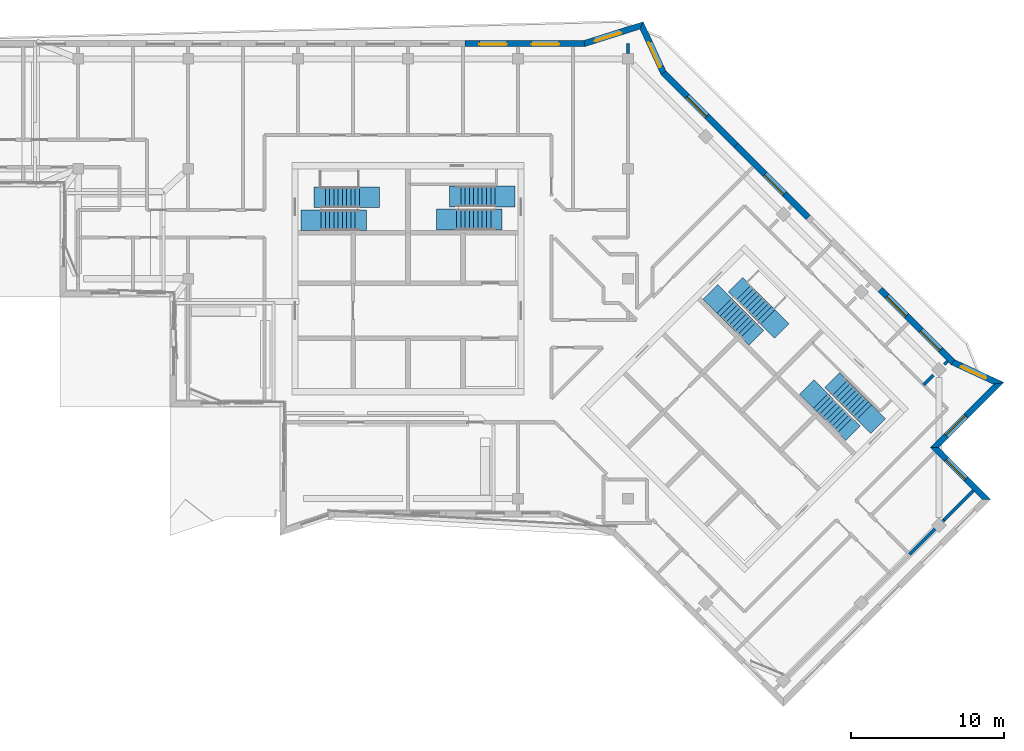
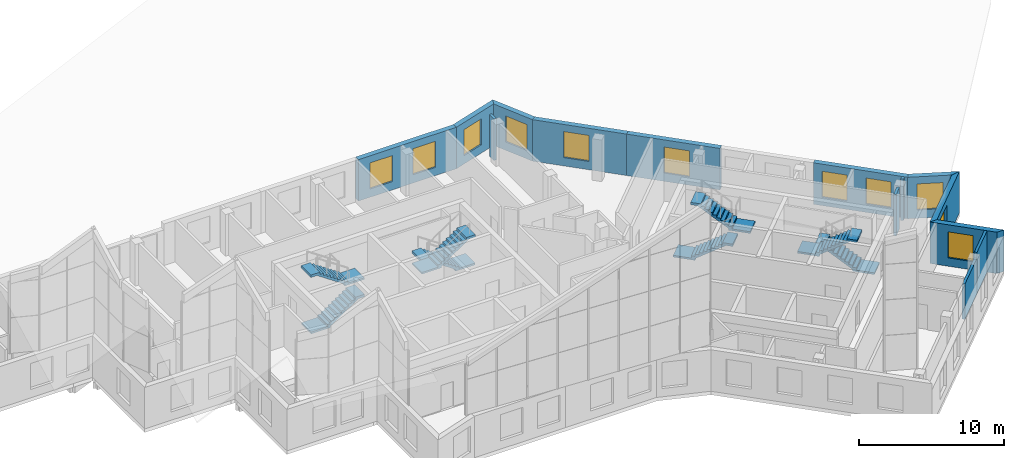
# One storey, part 16 of 20: 14 walls, 11 windows, 8 stair flights, 11 openings, 4 elements without a shape of their own.
"""IFC4 building model written with IfcOpenShell, lengths in metres."""

import ifcopenshell
import ifcopenshell.guid

model = None  # the IFC model being written
_history = None  # IfcOwnerHistory: only IFC2X3 demands one
_inside = {}  # id of a spatial element -> (the spatial element, [elements in it])
_under = {}  # id of a project, library or spatial element -> (it, [spatial elements below it])
_declared = {}  # id of a project -> (the project, [libraries it declares])
_typed = {}  # id of a type object -> (the type object, [elements of that type])
_made_of = {}  # id of a material, layer set ... -> (it, [elements and type objects made of it])


def new_model(schema):
    """Start an empty IFC model of exactly this schema.

    Asked for "IFC4X3", IfcOpenShell would pick the latest addendum, in which some entities
    have other attributes; the version numbers below select the first issue.
    IFC2X3 requires an IfcOwnerHistory on every rooted entity: one is made here for all.
    """
    global model, _history
    if schema == "IFC4X3":
        model = ifcopenshell.file(schema_version=(4, 3, 0, 0))
    else:
        model = ifcopenshell.file(schema=schema)
    _inside.clear()
    _under.clear()
    _declared.clear()
    _typed.clear()
    _made_of.clear()
    _history = None
    if model.schema == "IFC2X3":
        org = make("IfcOrganization", Name="unknown")
        user = make(
            "IfcPersonAndOrganization",
            ThePerson=make("IfcPerson", FamilyName="unknown"),
            TheOrganization=org,
        )
        app = make(
            "IfcApplication",
            ApplicationDeveloper=org,
            Version="unknown",
            ApplicationFullName="unknown",
            ApplicationIdentifier="unknown",
        )
        _history = make(
            "IfcOwnerHistory",
            OwningUser=user,
            OwningApplication=app,
            ChangeAction="ADDED",
            CreationDate=0,
        )
    return model


def make(cls, **values):
    """One entity of the class cls with the attributes given. An attribute that is None is left unset."""
    return model.create_entity(
        cls, **{name: value for name, value in values.items() if value is not None}
    )


def rooted(cls, **values):
    """An entity with a GlobalId (a new one), such as an element, a storey or a relation."""
    return make(cls, GlobalId=ifcopenshell.guid.new(), OwnerHistory=_history, **values)


def si_unit(unit_type, name, prefix=None):
    """IfcSIUnit, for example si_unit("LENGTHUNIT", "METRE", prefix="MILLI")."""
    return make("IfcSIUnit", UnitType=unit_type, Prefix=prefix, Name=name)


def assignment(units):
    """IfcUnitAssignment: the units of a project."""
    return None if units is None else make("IfcUnitAssignment", Units=units)


def point(xyz):
    """IfcCartesianPoint."""
    return None if xyz is None else make("IfcCartesianPoint", Coordinates=xyz)


def direction(xyz):
    """IfcDirection."""
    return None if xyz is None else make("IfcDirection", DirectionRatios=xyz)


def frame(location, z_axis=None, x_axis=None):
    """IfcAxis2Placement3D, a coordinate frame: its origin and axes. An axis left out is left unset."""
    return make(
        "IfcAxis2Placement3D",
        Location=point(location),
        Axis=direction(z_axis),
        RefDirection=direction(x_axis),
    )


def frame_2d(location, x_axis=None):
    """IfcAxis2Placement2D, a coordinate frame in the plane: its origin and x axis."""
    return make(
        "IfcAxis2Placement2D", Location=point(location), RefDirection=direction(x_axis)
    )


def origin():
    """The frame at (0, 0, 0) with its axes left unset."""
    return frame((0.0, 0.0, 0.0))


def place(relative_to, where):
    """IfcLocalPlacement: puts the frame where relative to a parent placement (None: the world)."""
    return make(
        "IfcLocalPlacement", PlacementRelTo=relative_to, RelativePlacement=where
    )


def context(
    kind, dimensions, precision=None, world=None, true_north=None, identifier=None
):
    """IfcGeometricRepresentationContext, for example the 3D "Model" context."""
    return make(
        "IfcGeometricRepresentationContext",
        ContextIdentifier=identifier,
        ContextType=kind,
        CoordinateSpaceDimension=dimensions,
        Precision=precision,
        WorldCoordinateSystem=world,
        TrueNorth=true_north,
    )


def subcontext(parent, identifier, kind, view, scale=None):
    """IfcGeometricRepresentationSubContext, for example "Body" below "Model"."""
    return make(
        "IfcGeometricRepresentationSubContext",
        ContextIdentifier=identifier,
        ContextType=kind,
        ParentContext=parent,
        TargetScale=scale,
        TargetView=view,
    )


def project(units=None, contexts=None):
    """IfcProject with its units and contexts."""
    return rooted(
        "IfcProject",
        Name="project",
        RepresentationContexts=contexts,
        UnitsInContext=assignment(units),
    )


def spatial(cls, under=None, at=None, **own):
    """A site, building, storey or space (cls), placed at a placement, below another one or the project."""
    s = rooted(cls, ObjectPlacement=at, **own)
    if under is not None:
        _under.setdefault(under.id(), (under, []))[1].append(s)
    return s


def polyline(points):
    """IfcPolyline through the points."""
    return make("IfcPolyline", Points=[point(p) for p in points])


def profile(cls, at=None, kind="AREA", **sizes):
    """A parametric profile (cls). Its sizes go by their IFC names, for example OverallWidth=200.0."""
    return make(cls, ProfileType=kind, Position=at, **sizes)


def rectangle(**sizes):
    """IfcRectangleProfileDef."""
    return profile("IfcRectangleProfileDef", **sizes)


def outline(outer, holes=None, kind="AREA"):
    """IfcArbitraryClosedProfileDef: a profile drawn as a closed curve; with holes, ...WithVoids."""
    if holes is None:
        return make("IfcArbitraryClosedProfileDef", ProfileType=kind, OuterCurve=outer)
    return make(
        "IfcArbitraryProfileDefWithVoids",
        ProfileType=kind,
        OuterCurve=outer,
        InnerCurves=holes,
    )


def extrude(swept, where, along, depth):
    """IfcExtrudedAreaSolid: the profile swept, set in the frame where, extruded along a direction by depth."""
    return make(
        "IfcExtrudedAreaSolid",
        SweptArea=swept,
        Position=where,
        ExtrudedDirection=direction(along),
        Depth=depth,
    )


def shape(context_of_items, identifier, shape_type, items):
    """IfcShapeRepresentation: the items that make up one representation, for example the "Body"."""
    return make(
        "IfcShapeRepresentation",
        ContextOfItems=context_of_items,
        RepresentationIdentifier=identifier,
        RepresentationType=shape_type,
        Items=items,
    )


def material(Name=None, Category=None):
    """IfcMaterial."""
    return make("IfcMaterial", Name=Name, Category=Category)


def layer(
    of_material, thickness, ventilated=None, Name=None, Category=None, Priority=None
):
    """IfcMaterialLayer: one layer of a wall or slab, of a material (None: an air gap)."""
    return make(
        "IfcMaterialLayer",
        Material=of_material,
        LayerThickness=thickness,
        IsVentilated=ventilated,
        Name=Name,
        Category=Category,
        Priority=Priority,
    )


def layer_set(layers, Name=None):
    """IfcMaterialLayerSet."""
    return make("IfcMaterialLayerSet", MaterialLayers=layers, LayerSetName=Name)


def made_of(thing, what):
    """Note that an element or type object is made of a material, layer set ...; save() writes the relation."""
    if what is not None:
        _made_of.setdefault(what.id(), (what, []))[1].append(thing)
    return thing


def type_object(cls, material=None, **own):
    """A type object (cls), such as IfcWallType, which elements share."""
    return made_of(rooted(cls, **own), material)


def element(
    cls,
    number,
    at=None,
    inside=None,
    cuts=None,
    type_object=None,
    material=None,
    context=None,
    identifier="Body",
    shape_type=None,
    held_by="IfcProductDefinitionShape",
    body=None,
    shapes=None,
    **own,
):
    """One element of the class cls, such as IfcWall. Its Tag is "e" and its number.

    at: its placement. inside: the storey or other place that contains it. cuts: it is an
    opening in that element (IfcRelVoidsElement). A single representation is given by context,
    identifier, shape_type and body (its items); several are given by shapes. held_by: the class
    of the entity that holds the representations. save() writes the other relations.
    """
    e = rooted(cls, Tag="e%d" % number, ObjectPlacement=at, **own)
    if body is not None:
        shapes = [shape(context, identifier, shape_type, body)]
    if shapes is not None:
        e.Representation = make(held_by, Representations=shapes)
    if inside is not None:
        _inside.setdefault(inside.id(), (inside, []))[1].append(e)
    if cuts is not None:
        rooted(
            "IfcRelVoidsElement", RelatingBuildingElement=cuts, RelatedOpeningElement=e
        )
    if type_object is not None:
        _typed.setdefault(type_object.id(), (type_object, []))[1].append(e)
    return made_of(e, material)


def fill(opening, filler):
    """IfcRelFillsElement: the door or window that sits in an opening."""
    return rooted(
        "IfcRelFillsElement",
        RelatingOpeningElement=opening,
        RelatedBuildingElement=filler,
    )


def aggregate(whole, parts):
    """IfcRelAggregates: a whole, such as a stair, and the parts it consists of."""
    return rooted("IfcRelAggregates", RelatingObject=whole, RelatedObjects=parts)


def save(model, path):
    """Write the relations noted so far, then the file.

    IfcRelAggregates (storeys below a building ...), IfcRelContainedInSpatialStructure (elements
    in a storey), IfcRelDefinesByType, IfcRelAssociatesMaterial and IfcRelDeclares: one each for
    every whole, place, type object, material and project.
    """
    for whole, parts in _under.values():
        aggregate(whole, parts)
    for where, things in _inside.values():
        rooted(
            "IfcRelContainedInSpatialStructure",
            RelatedElements=things,
            RelatingStructure=where,
        )
    for kind, things in _typed.values():
        rooted("IfcRelDefinesByType", RelatedObjects=things, RelatingType=kind)
    for what, things in _made_of.values():
        rooted("IfcRelAssociatesMaterial", RelatedObjects=things, RelatingMaterial=what)
    for by, libraries in _declared.values():
        rooted("IfcRelDeclares", RelatingContext=by, RelatedDefinitions=libraries)
    model.write(path)


model = new_model("IFC4")

# Units and contexts
model_context = context("Model", 3, precision=1e-05, world=origin(), true_north=direction((0.0, 1.0)))
body_context = subcontext(model_context, "Body", "Model", "MODEL_VIEW")
ifc_project = project(units=[si_unit("LENGTHUNIT", "METRE"), si_unit("AREAUNIT", "SQUARE_METRE"), si_unit("VOLUMEUNIT", "CUBIC_METRE"), si_unit("PLANEANGLEUNIT", "RADIAN"), si_unit("MASSUNIT", "GRAM", prefix="KILO")], contexts=[model_context])

# Site, building, storey
site_placement = place(None, origin())
site = spatial("IfcSite", under=ifc_project, at=site_placement, CompositionType="ELEMENT")
building_placement = place(site_placement, origin())
building = spatial("IfcBuilding", under=site, at=building_placement, Name="Windrow Commons", CompositionType="ELEMENT")
storey_placement = place(building_placement, frame((0.0, 0.0, 290.6)))
storey = spatial("IfcBuildingStorey", under=building, at=storey_placement, Name="L79", CompositionType="ELEMENT", Elevation=290.6)

# Walls
ifc_material_1 = material(Name="Blockwork partition", Category="masonry")
ifc_layer_1 = layer(ifc_material_1, 0.2)
ifc_layer_set_1 = layer_set([ifc_layer_1], Name="IW-PARTY-200")
wall_type_1 = type_object("IfcWallType", Name="IW-PARTY-200", PredefinedType="PARTITIONING", material=ifc_layer_set_1)
wall_1_placement = place(storey_placement, frame((97.6534, 39.5466, 0.0), z_axis=(0.0, 0.0, 1.0), x_axis=(0.7066684208, 0.70754487, 0.0)))
element("IfcWall", 1, at=wall_1_placement, inside=storey, type_object=wall_type_1, Name="W-L79-W064", PredefinedType="PARTITIONING", context=body_context, shape_type="SweptSolid", body=[
    extrude(rectangle(XDim=3.1947, YDim=0.2, at=frame_2d((1.5974, 0.0))), origin(), (0.0, 0.0, 1.0), 3.0),
])
wall_2_placement = place(storey_placement, frame((98.5738, 50.6462, 0.0), z_axis=(0.0, 0.0, 1.0), x_axis=(0.7071067812, 0.7071067812, 0.0)))
element("IfcWall", 2, at=wall_2_placement, inside=storey, type_object=wall_type_1, Name="W-L79-W081", PredefinedType="PARTITIONING", context=body_context, shape_type="SweptSolid", body=[
    extrude(rectangle(XDim=0.9051, YDim=0.2, at=frame_2d((0.4526, 0.0))), origin(), (0.0, 0.0, 1.0), 3.5),
])
wall_3_placement = place(storey_placement, frame((79.2, 72.35, 0.0), z_axis=(0.0, 0.0, 1.0), x_axis=(0.0, 1.0, 0.0)))
element("IfcWall", 3, at=wall_3_placement, inside=storey, type_object=wall_type_1, Name="W-L79-W096", PredefinedType="PARTITIONING", context=body_context, shape_type="SweptSolid", body=[
    extrude(rectangle(XDim=0.65, YDim=0.2, at=frame_2d((0.325, 0.0))), origin(), (0.0, 0.0, 1.0), 3.5),
])
wall_4_placement = place(storey_placement, frame((99.914, 41.804, 0.0), z_axis=(0.0, 0.0, 1.0), x_axis=(0.7071067812, 0.7071067812, 0.0)))
element("IfcWall", 4, at=wall_4_placement, inside=storey, type_object=wall_type_1, Name="W-L79-W050", PredefinedType="PARTITIONING", context=body_context, shape_type="SweptSolid", body=[
    extrude(outline(polyline([(0.0, -0.1), (2.7048, -0.1), (2.7048, 0.1), (0.0, 0.1), (0.0, -0.1)])), origin(), (0.0, 0.0, 1.0), 3.5),
])
wall_5_placement = place(storey_placement, frame((99.9167, 51.9833, 0.0), z_axis=(0.0, 0.0, 1.0), x_axis=(0.7087439748, 0.7054657881, 0.0)))
element("IfcWall", 5, at=wall_5_placement, inside=storey, type_object=wall_type_1, Name="W-L79-W098", PredefinedType="PARTITIONING", context=body_context, shape_type="SweptSolid", body=[
    extrude(outline(polyline([(0.0, -0.1), (0.3051, -0.1), (0.3051, 0.1), (0.0, 0.1), (0.0, -0.1)])), origin(), (0.0, 0.0, 1.0), 3.5),
])

# Wall, opening, window
ifc_material_2 = material(Name="Standing seam zinc cladding on insulated masonry backing", Category="masonry")
ifc_layer_2 = layer(ifc_material_2, 0.4)
ifc_layer_set_2 = layer_set([ifc_layer_2], Name="Zinc clad crown wall 400")
wall_type_2 = type_object("IfcWallType", Name="Zinc clad crown wall 400", PredefinedType="SOLIDWALL", material=ifc_layer_set_2)
wall_6_placement = place(storey_placement, frame((102.676, 43.15, 0.0), z_axis=(0.0, 0.0, 1.0), x_axis=(-0.7070963646, 0.7071171977, 0.0)))
wall_6 = element("IfcWall", 6, at=wall_6_placement, inside=storey, type_object=wall_type_2, Name="Brick facade wall L79 2", PredefinedType="SOLIDWALL", context=body_context, shape_type="SweptSolid", body=[
    extrude(outline(polyline([(-0.2, -0.2), (4.6001, -0.2), (5.0, 0.2), (0.2, 0.2), (-0.2, -0.2)])), origin(), (0.0, 0.0, 1.0), 3.5),
])
opening_1_placement = place(wall_6_placement, frame((1.9, 0.0, 0.7)))
opening_1 = element("IfcOpeningElement", 7, at=opening_1_placement, cuts=wall_6, Name="Opening W6", PredefinedType="OPENING", context=body_context, shape_type="SweptSolid", body=[
    extrude(rectangle(XDim=1.8, YDim=2.2, at=frame_2d((0.9, 1.1))), frame((0.0, 0.21, 0.0), z_axis=(0.0, -1.0, 0.0), x_axis=(1.0, 0.0, 0.0)), (0.0, 0.0, 1.0), 0.42),
])
ifc_material_3 = material(Name="Clear float glass in anodised aluminium frame", Category="aluminium")
window_type = type_object("IfcWindowType", Name="Window W6 crown 1800x2200", PartitioningType="SINGLE_PANEL", PredefinedType="WINDOW", material=ifc_material_3)
window_1_placement = place(opening_1_placement, origin())
window_1 = element("IfcWindow", 8, at=window_1_placement, inside=storey, type_object=window_type, Name="Window L79 2.1", OverallHeight=2.2, OverallWidth=1.8, PartitioningType="SINGLE_PANEL", PredefinedType="WINDOW", context=body_context, shape_type="SweptSolid", body=[
    extrude(rectangle(XDim=1.8, YDim=2.2, at=frame_2d((0.9, 1.1))), frame((0.0, 0.08, 0.0), z_axis=(0.0, -1.0, 0.0), x_axis=(1.0, 0.0, 0.0)), (0.0, 0.0, 1.0), 0.06),
])
fill(opening_1, window_1)

wall_7_placement = place(storey_placement, frame((99.2819, 46.5442, 0.0), z_axis=(0.0, 0.0, 1.0), x_axis=(0.7071067812, 0.7071067812, 0.0)))
wall_7 = element("IfcWall", 9, at=wall_7_placement, inside=storey, type_object=wall_type_2, Name="Brick facade wall L79 3", PredefinedType="SOLIDWALL", context=body_context, shape_type="SweptSolid", body=[
    extrude(outline(polyline([(0.2, -0.2), (6.23, -0.2), (5.6565, 0.2), (-0.2, 0.2), (0.2, -0.2)])), origin(), (0.0, 0.0, 1.0), 3.5),
])
opening_2_placement = place(wall_7_placement, frame((1.1, 0.0, 0.7)))
opening_2 = element("IfcOpeningElement", 10, at=opening_2_placement, cuts=wall_7, Name="Opening W6", PredefinedType="OPENING", context=body_context, shape_type="SweptSolid", body=[
    extrude(rectangle(XDim=1.8, YDim=2.2, at=frame_2d((0.9, 1.1))), frame((0.0, 0.21, 0.0), z_axis=(0.0, -1.0, 0.0), x_axis=(1.0, 0.0, 0.0)), (0.0, 0.0, 1.0), 0.42),
])
window_2_placement = place(opening_2_placement, origin())
window_2 = element("IfcWindow", 11, at=window_2_placement, inside=storey, type_object=window_type, Name="Window L79 3.1", OverallHeight=2.2, OverallWidth=1.8, PartitioningType="SINGLE_PANEL", PredefinedType="WINDOW", context=body_context, shape_type="SweptSolid", body=[
    extrude(rectangle(XDim=1.8, YDim=2.2, at=frame_2d((0.9, 1.1))), frame((0.0, 0.08, 0.0), z_axis=(0.0, -1.0, 0.0), x_axis=(1.0, 0.0, 0.0)), (0.0, 0.0, 1.0), 0.06),
])
fill(opening_2, window_2)

wall_8_placement = place(storey_placement, frame((103.4844, 50.7467, 0.0), z_axis=(0.0, 0.0, 1.0), x_axis=(-0.9078558767, 0.4192823716, 0.0)))
wall_8 = element("IfcWall", 12, at=wall_8_placement, inside=storey, type_object=wall_type_2, Name="Brick facade wall L79 4", PredefinedType="SOLIDWALL", context=body_context, shape_type="SweptSolid", body=[
    extrude(outline(polyline([(-0.2868, -0.2), (3.2735, -0.2), (3.3448, 0.2), (0.2868, 0.2), (-0.2868, -0.2)])), origin(), (0.0, 0.0, 1.0), 3.5),
])
opening_3_placement = place(wall_8_placement, frame((0.898, 0.0, 0.7)))
opening_3 = element("IfcOpeningElement", 13, at=opening_3_placement, cuts=wall_8, Name="Opening W6", PredefinedType="OPENING", context=body_context, shape_type="SweptSolid", body=[
    extrude(rectangle(XDim=1.8, YDim=2.2, at=frame_2d((0.9, 1.1))), frame((0.0, 0.21, 0.0), z_axis=(0.0, -1.0, 0.0), x_axis=(1.0, 0.0, 0.0)), (0.0, 0.0, 1.0), 0.42),
])
window_3_placement = place(opening_3_placement, origin())
window_3 = element("IfcWindow", 14, at=window_3_placement, inside=storey, type_object=window_type, Name="Window L79 4.1", OverallHeight=2.2, OverallWidth=1.8, PartitioningType="SINGLE_PANEL", PredefinedType="WINDOW", context=body_context, shape_type="SweptSolid", body=[
    extrude(rectangle(XDim=1.8, YDim=2.2, at=frame_2d((0.9, 1.1))), frame((0.0, 0.08, 0.0), z_axis=(0.0, -1.0, 0.0), x_axis=(1.0, 0.0, 0.0)), (0.0, 0.0, 1.0), 0.06),
])
fill(opening_3, window_3)

# Wall, openings, windows
wall_9_placement = place(storey_placement, frame((100.4801, 52.1342, 0.0), z_axis=(0.0, 0.0, 1.0), x_axis=(-0.7071067812, 0.7071067812, 0.0)))
wall_9 = element("IfcWall", 15, at=wall_9_placement, inside=storey, type_object=wall_type_2, Name="Brick facade wall L79 5", PredefinedType="SOLIDWALL", context=body_context, shape_type="SweptSolid", body=[
    extrude(outline(polyline([(0.0356, -0.2), (6.7178, -0.2), (6.7178, 0.2), (-0.0356, 0.2), (0.0356, -0.2)])), origin(), (0.0, 0.0, 1.0), 3.5),
])
opening_4_placement = place(wall_9_placement, frame((1.1473, 0.0, 0.7)))
opening_4 = element("IfcOpeningElement", 16, at=opening_4_placement, cuts=wall_9, Name="Opening W6", PredefinedType="OPENING", context=body_context, shape_type="SweptSolid", body=[
    extrude(rectangle(XDim=1.8, YDim=2.2, at=frame_2d((0.9, 1.1))), frame((0.0, 0.21, 0.0), z_axis=(0.0, -1.0, 0.0), x_axis=(1.0, 0.0, 0.0)), (0.0, 0.0, 1.0), 0.42),
])
opening_5_placement = place(wall_9_placement, frame((4.3062, 0.0, 0.7)))
opening_5 = element("IfcOpeningElement", 17, at=opening_5_placement, cuts=wall_9, Name="Opening W6", PredefinedType="OPENING", context=body_context, shape_type="SweptSolid", body=[
    extrude(rectangle(XDim=1.8, YDim=2.2, at=frame_2d((0.9, 1.1))), frame((0.0, 0.21, 0.0), z_axis=(0.0, -1.0, 0.0), x_axis=(1.0, 0.0, 0.0)), (0.0, 0.0, 1.0), 0.42),
])
window_4_placement = place(opening_4_placement, origin())
window_4 = element("IfcWindow", 18, at=window_4_placement, inside=storey, type_object=window_type, Name="Window L79 5.1", OverallHeight=2.2, OverallWidth=1.8, PartitioningType="SINGLE_PANEL", PredefinedType="WINDOW", context=body_context, shape_type="SweptSolid", body=[
    extrude(rectangle(XDim=1.8, YDim=2.2, at=frame_2d((0.9, 1.1))), frame((0.0, 0.08, 0.0), z_axis=(0.0, -1.0, 0.0), x_axis=(1.0, 0.0, 0.0)), (0.0, 0.0, 1.0), 0.06),
])
fill(opening_4, window_4)
window_5_placement = place(opening_5_placement, origin())
window_5 = element("IfcWindow", 19, at=window_5_placement, inside=storey, type_object=window_type, Name="Window L79 5.2", OverallHeight=2.2, OverallWidth=1.8, PartitioningType="SINGLE_PANEL", PredefinedType="WINDOW", context=body_context, shape_type="SweptSolid", body=[
    extrude(rectangle(XDim=1.8, YDim=2.2, at=frame_2d((0.9, 1.1))), frame((0.0, 0.08, 0.0), z_axis=(0.0, -1.0, 0.0), x_axis=(1.0, 0.0, 0.0)), (0.0, 0.0, 1.0), 0.06),
])
fill(opening_5, window_5)

# Wall, opening, window
wall_10_placement = place(storey_placement, frame((91.0049, 61.6094, 0.0), z_axis=(0.0, 0.0, 1.0), x_axis=(-0.7071142638, 0.7070992985, 0.0)))
wall_10 = element("IfcWall", 20, at=wall_10_placement, inside=storey, type_object=wall_type_2, Name="Brick facade wall L79 7", PredefinedType="SOLIDWALL", context=body_context, shape_type="SweptSolid", body=[
    extrude(outline(polyline([(0.0, -0.2), (6.6821, -0.2), (6.6821, 0.2), (0.0, 0.2), (0.0, -0.2)])), origin(), (0.0, 0.0, 1.0), 3.5),
])
opening_6_placement = place(wall_10_placement, frame((2.1946, 0.0, 0.7)))
opening_6 = element("IfcOpeningElement", 21, at=opening_6_placement, cuts=wall_10, Name="Opening W6", PredefinedType="OPENING", context=body_context, shape_type="SweptSolid", body=[
    extrude(rectangle(XDim=1.8, YDim=2.2, at=frame_2d((0.9, 1.1))), frame((0.0, 0.21, 0.0), z_axis=(0.0, -1.0, 0.0), x_axis=(1.0, 0.0, 0.0)), (0.0, 0.0, 1.0), 0.42),
])
window_6_placement = place(opening_6_placement, origin())
window_6 = element("IfcWindow", 22, at=window_6_placement, inside=storey, type_object=window_type, Name="Window L79 7.1", OverallHeight=2.2, OverallWidth=1.8, PartitioningType="SINGLE_PANEL", PredefinedType="WINDOW", context=body_context, shape_type="SweptSolid", body=[
    extrude(rectangle(XDim=1.8, YDim=2.2, at=frame_2d((0.9, 1.1))), frame((0.0, 0.08, 0.0), z_axis=(0.0, -1.0, 0.0), x_axis=(1.0, 0.0, 0.0)), (0.0, 0.0, 1.0), 0.06),
])
fill(opening_6, window_6)

wall_11_placement = place(storey_placement, frame((86.2799, 66.3343, 0.0), z_axis=(0.0, 0.0, 1.0), x_axis=(-0.7071067812, 0.7071067812, 0.0)))
wall_11 = element("IfcWall", 23, at=wall_11_placement, inside=storey, type_object=wall_type_2, Name="Brick facade wall L79 8", PredefinedType="SOLIDWALL", context=body_context, shape_type="SweptSolid", body=[
    extrude(outline(polyline([(0.0, -0.2), (6.6821, -0.2), (6.7534, 0.2), (0.0, 0.2), (0.0, -0.2)])), origin(), (0.0, 0.0, 1.0), 3.5),
])
opening_7_placement = place(wall_11_placement, frame((2.7125, 0.0, 0.7)))
opening_7 = element("IfcOpeningElement", 24, at=opening_7_placement, cuts=wall_11, Name="Opening W6", PredefinedType="OPENING", context=body_context, shape_type="SweptSolid", body=[
    extrude(rectangle(XDim=1.8, YDim=2.2, at=frame_2d((0.9, 1.1))), frame((0.0, 0.21, 0.0), z_axis=(0.0, -1.0, 0.0), x_axis=(1.0, 0.0, 0.0)), (0.0, 0.0, 1.0), 0.42),
])
window_7_placement = place(opening_7_placement, origin())
window_7 = element("IfcWindow", 25, at=window_7_placement, inside=storey, type_object=window_type, Name="Window L79 8.1", OverallHeight=2.2, OverallWidth=1.8, PartitioningType="SINGLE_PANEL", PredefinedType="WINDOW", context=body_context, shape_type="SweptSolid", body=[
    extrude(rectangle(XDim=1.8, YDim=2.2, at=frame_2d((0.9, 1.1))), frame((0.0, 0.08, 0.0), z_axis=(0.0, -1.0, 0.0), x_axis=(1.0, 0.0, 0.0)), (0.0, 0.0, 1.0), 0.06),
])
fill(opening_7, window_7)

wall_12_placement = place(storey_placement, frame((81.5297, 71.0845, 0.0), z_axis=(0.0, 0.0, 1.0), x_axis=(-0.4192640124, 0.9078643555, 0.0)))
wall_12 = element("IfcWall", 26, at=wall_12_placement, inside=storey, type_object=wall_type_2, Name="Brick facade wall L79 9", PredefinedType="SOLIDWALL", context=body_context, shape_type="SweptSolid", body=[
    extrude(outline(polyline([(0.0356, -0.2), (3.5959, -0.2), (3.2432, 0.2), (-0.0356, 0.2), (0.0356, -0.2)])), origin(), (0.0, 0.0, 1.0), 3.5),
])
opening_8_placement = place(wall_12_placement, frame((0.4226, 0.0, 0.7)))
opening_8 = element("IfcOpeningElement", 27, at=opening_8_placement, cuts=wall_12, Name="Opening W6", PredefinedType="OPENING", context=body_context, shape_type="SweptSolid", body=[
    extrude(rectangle(XDim=1.8, YDim=2.2, at=frame_2d((0.9, 1.1))), frame((0.0, 0.21, 0.0), z_axis=(0.0, -1.0, 0.0), x_axis=(1.0, 0.0, 0.0)), (0.0, 0.0, 1.0), 0.42),
])
window_8_placement = place(opening_8_placement, origin())
window_8 = element("IfcWindow", 28, at=window_8_placement, inside=storey, type_object=window_type, Name="Window L79 9.1", OverallHeight=2.2, OverallWidth=1.8, PartitioningType="SINGLE_PANEL", PredefinedType="WINDOW", context=body_context, shape_type="SweptSolid", body=[
    extrude(rectangle(XDim=1.8, YDim=2.2, at=frame_2d((0.9, 1.1))), frame((0.0, 0.08, 0.0), z_axis=(0.0, -1.0, 0.0), x_axis=(1.0, 0.0, 0.0)), (0.0, 0.0, 1.0), 0.06),
])
fill(opening_8, window_8)

wall_13_placement = place(storey_placement, frame((80.096, 74.189, 0.0), z_axis=(0.0, 0.0, 1.0), x_axis=(-0.9531812986, -0.3023994247, 0.0)))
wall_13 = element("IfcWall", 29, at=wall_13_placement, inside=storey, type_object=wall_type_2, Name="Brick facade wall L79 10", PredefinedType="SOLIDWALL", context=body_context, shape_type="SweptSolid", body=[
    extrude(outline(polyline([(-0.1764, -0.2), (3.9009, -0.2), (3.9629, 0.2), (0.1764, 0.2), (-0.1764, -0.2)])), origin(), (0.0, 0.0, 1.0), 3.5),
])
opening_9_placement = place(wall_13_placement, frame((1.4359, 0.0, 0.7)))
opening_9 = element("IfcOpeningElement", 30, at=opening_9_placement, cuts=wall_13, Name="Opening W6", PredefinedType="OPENING", context=body_context, shape_type="SweptSolid", body=[
    extrude(rectangle(XDim=1.8, YDim=2.2, at=frame_2d((0.9, 1.1))), frame((0.0, 0.21, 0.0), z_axis=(0.0, -1.0, 0.0), x_axis=(1.0, 0.0, 0.0)), (0.0, 0.0, 1.0), 0.42),
])
window_9_placement = place(opening_9_placement, origin())
window_9 = element("IfcWindow", 31, at=window_9_placement, inside=storey, type_object=window_type, Name="Window L79 10.1", OverallHeight=2.2, OverallWidth=1.8, PartitioningType="SINGLE_PANEL", PredefinedType="WINDOW", context=body_context, shape_type="SweptSolid", body=[
    extrude(rectangle(XDim=1.8, YDim=2.2, at=frame_2d((0.9, 1.1))), frame((0.0, 0.08, 0.0), z_axis=(0.0, -1.0, 0.0), x_axis=(1.0, 0.0, 0.0)), (0.0, 0.0, 1.0), 0.06),
])
fill(opening_9, window_9)

# Wall, openings, windows
wall_14_placement = place(storey_placement, frame((76.3482, 73.0, 0.0), z_axis=(0.0, 0.0, 1.0), x_axis=(-1.0, 0.0, 0.0)))
wall_14 = element("IfcWall", 32, at=wall_14_placement, inside=storey, type_object=wall_type_2, Name="Brick facade wall L79 11", PredefinedType="SOLIDWALL", context=body_context, shape_type="SweptSolid", body=[
    extrude(outline(polyline([(0.031, -0.2), (7.8037, -0.2), (7.8037, 0.2), (-0.031, 0.2), (0.031, -0.2)])), origin(), (0.0, 0.0, 1.0), 3.5),
])
opening_10_placement = place(wall_14_placement, frame((1.6482, 0.0, 0.7)))
opening_10 = element("IfcOpeningElement", 33, at=opening_10_placement, cuts=wall_14, Name="Opening W6", PredefinedType="OPENING", context=body_context, shape_type="SweptSolid", body=[
    extrude(rectangle(XDim=1.8, YDim=2.2, at=frame_2d((0.9, 1.1))), frame((0.0, 0.21, 0.0), z_axis=(0.0, -1.0, 0.0), x_axis=(1.0, 0.0, 0.0)), (0.0, 0.0, 1.0), 0.42),
])
opening_11_placement = place(wall_14_placement, frame((5.0759, 0.0, 0.7)))
opening_11 = element("IfcOpeningElement", 34, at=opening_11_placement, cuts=wall_14, Name="Opening W6", PredefinedType="OPENING", context=body_context, shape_type="SweptSolid", body=[
    extrude(rectangle(XDim=1.8, YDim=2.2, at=frame_2d((0.9, 1.1))), frame((0.0, 0.21, 0.0), z_axis=(0.0, -1.0, 0.0), x_axis=(1.0, 0.0, 0.0)), (0.0, 0.0, 1.0), 0.42),
])
window_10_placement = place(opening_10_placement, origin())
window_10 = element("IfcWindow", 35, at=window_10_placement, inside=storey, type_object=window_type, Name="Window L79 11.1", OverallHeight=2.2, OverallWidth=1.8, PartitioningType="SINGLE_PANEL", PredefinedType="WINDOW", context=body_context, shape_type="SweptSolid", body=[
    extrude(rectangle(XDim=1.8, YDim=2.2, at=frame_2d((0.9, 1.1))), frame((0.0, 0.08, 0.0), z_axis=(0.0, -1.0, 0.0), x_axis=(1.0, 0.0, 0.0)), (0.0, 0.0, 1.0), 0.06),
])
fill(opening_10, window_10)
window_11_placement = place(opening_11_placement, origin())
window_11 = element("IfcWindow", 36, at=window_11_placement, inside=storey, type_object=window_type, Name="Window L79 11.2", OverallHeight=2.2, OverallWidth=1.8, PartitioningType="SINGLE_PANEL", PredefinedType="WINDOW", context=body_context, shape_type="SweptSolid", body=[
    extrude(rectangle(XDim=1.8, YDim=2.2, at=frame_2d((0.9, 1.1))), frame((0.0, 0.08, 0.0), z_axis=(0.0, -1.0, 0.0), x_axis=(1.0, 0.0, 0.0)), (0.0, 0.0, 1.0), 0.06),
])
fill(opening_11, window_11)

# Stair, stair flights
ifc_material_4 = material(Name="Concrete C40/50", Category="concrete")
stair_type = type_object("IfcStairType", Name="Core stair", PredefinedType="HALF_TURN_STAIR", material=ifc_material_4)
placement = place(storey_placement, origin())
stair_1 = element("IfcStair", 37, at=placement, inside=storey, type_object=stair_type, Name="L79 Exit stair A1 core A", PredefinedType="HALF_TURN_STAIR")
ifc_material_5 = material(Name="Concrete C40/50", Category="concrete")
stair_flight_type = type_object("IfcStairFlightType", Name="Core stair flight", PredefinedType="STRAIGHT", material=ifc_material_5)
stair_flight_1_placement = place(storey_placement, frame((59.1, 61.425, 0.0), z_axis=(0.0, 0.0, 1.0), x_axis=(1.0, 0.0, 0.0)))
stair_flight_1 = element("IfcStairFlight", 38, at=stair_flight_1_placement, type_object=stair_flight_type, Name="ST-A1 flight 1", NumberOfRisers=10, NumberOfTreads=9, PredefinedType="STRAIGHT", RiserHeight=0.19, TreadLength=0.28, context=body_context, shape_type="SweptSolid", body=[
    extrude(outline(polyline([(-1.3, -0.15), (-1.3, 0.0), (0.0, 0.0), (0.0, 0.19), (0.28, 0.19), (0.28, 0.38), (0.56, 0.38), (0.56, 0.57), (0.84, 0.57), (0.84, 0.76), (1.12, 0.76), (1.12, 0.95), (1.4, 0.95), (1.4, 1.14), (1.68, 1.14), (1.68, 1.33), (1.96, 1.33), (1.96, 1.52), (2.24, 1.52), (2.24, 1.71), (2.52, 1.71), (2.97, 1.71), (2.97, 1.51), (2.52, 1.51), (2.52, 1.5287), (0.2671, 0.0), (0.2671, -0.15), (-1.3, -0.15)])), frame((0.0, 0.675, 0.0), z_axis=(0.0, -1.0, 0.0), x_axis=(1.0, 0.0, 0.0)), (0.0, 0.0, 1.0), 1.35),
])
stair_flight_2_placement = place(storey_placement, frame((61.62, 62.925, 1.9), z_axis=(0.0, 0.0, 1.0), x_axis=(-1.0, 0.0, 0.0)))
stair_flight_2 = element("IfcStairFlight", 39, at=stair_flight_2_placement, type_object=stair_flight_type, Name="ST-A1 flight 2", NumberOfRisers=10, NumberOfTreads=9, PredefinedType="STRAIGHT", RiserHeight=0.19, TreadLength=0.28, context=body_context, shape_type="SweptSolid", body=[
    extrude(outline(polyline([(-1.3, -0.15), (-1.3, 0.0), (0.0, 0.0), (0.0, 0.19), (0.28, 0.19), (0.28, 0.38), (0.56, 0.38), (0.56, 0.57), (0.84, 0.57), (0.84, 0.76), (1.12, 0.76), (1.12, 0.95), (1.4, 0.95), (1.4, 1.14), (1.68, 1.14), (1.68, 1.33), (1.96, 1.33), (1.96, 1.52), (2.24, 1.52), (2.24, 1.71), (2.52, 1.71), (2.97, 1.71), (2.97, 1.51), (2.52, 1.51), (2.52, 1.5287), (0.2671, 0.0), (0.2671, -0.15), (-1.3, -0.15)])), frame((0.0, 0.675, 0.0), z_axis=(0.0, -1.0, 0.0), x_axis=(1.0, 0.0, 0.0)), (0.0, 0.0, 1.0), 1.35),
])
aggregate(stair_1, [stair_flight_1, stair_flight_2])

stair_2 = element("IfcStair", 40, at=placement, inside=storey, type_object=stair_type, Name="L79 Exit stair A2 core A", PredefinedType="HALF_TURN_STAIR")
stair_flight_3_placement = place(storey_placement, frame((70.5, 62.98, 0.0), z_axis=(0.0, 0.0, 1.0), x_axis=(-1.0, 0.0, 0.0)))
stair_flight_3 = element("IfcStairFlight", 41, at=stair_flight_3_placement, type_object=stair_flight_type, Name="ST-A2 flight 1", NumberOfRisers=10, NumberOfTreads=9, PredefinedType="STRAIGHT", RiserHeight=0.19, TreadLength=0.28, context=body_context, shape_type="SweptSolid", body=[
    extrude(outline(polyline([(-1.3, -0.15), (-1.3, 0.0), (0.0, 0.0), (0.0, 0.19), (0.28, 0.19), (0.28, 0.38), (0.56, 0.38), (0.56, 0.57), (0.84, 0.57), (0.84, 0.76), (1.12, 0.76), (1.12, 0.95), (1.4, 0.95), (1.4, 1.14), (1.68, 1.14), (1.68, 1.33), (1.96, 1.33), (1.96, 1.52), (2.24, 1.52), (2.24, 1.71), (2.52, 1.71), (2.97, 1.71), (2.97, 1.51), (2.52, 1.51), (2.52, 1.5287), (0.2671, 0.0), (0.2671, -0.15), (-1.3, -0.15)])), frame((0.0, 0.675, 0.0), z_axis=(0.0, -1.0, 0.0), x_axis=(1.0, 0.0, 0.0)), (0.0, 0.0, 1.0), 1.35),
])
stair_flight_4_placement = place(storey_placement, frame((67.98, 61.48, 1.9), z_axis=(0.0, 0.0, 1.0), x_axis=(1.0, 0.0, 0.0)))
stair_flight_4 = element("IfcStairFlight", 42, at=stair_flight_4_placement, type_object=stair_flight_type, Name="ST-A2 flight 2", NumberOfRisers=10, NumberOfTreads=9, PredefinedType="STRAIGHT", RiserHeight=0.19, TreadLength=0.28, context=body_context, shape_type="SweptSolid", body=[
    extrude(outline(polyline([(-1.3, -0.15), (-1.3, 0.0), (0.0, 0.0), (0.0, 0.19), (0.28, 0.19), (0.28, 0.38), (0.56, 0.38), (0.56, 0.57), (0.84, 0.57), (0.84, 0.76), (1.12, 0.76), (1.12, 0.95), (1.4, 0.95), (1.4, 1.14), (1.68, 1.14), (1.68, 1.33), (1.96, 1.33), (1.96, 1.52), (2.24, 1.52), (2.24, 1.71), (2.52, 1.71), (2.97, 1.71), (2.97, 1.51), (2.52, 1.51), (2.52, 1.5287), (0.2671, 0.0), (0.2671, -0.15), (-1.3, -0.15)])), frame((0.0, 0.675, 0.0), z_axis=(0.0, -1.0, 0.0), x_axis=(1.0, 0.0, 0.0)), (0.0, 0.0, 1.0), 1.35),
])
aggregate(stair_2, [stair_flight_3, stair_flight_4])

stair_3 = element("IfcStair", 43, at=placement, inside=storey, type_object=stair_type, Name="L79 Exit stair B1 core B", PredefinedType="HALF_TURN_STAIR")
stair_flight_5_placement = place(storey_placement, frame((85.5109, 55.8249, 0.0), z_axis=(0.0, 0.0, 1.0), x_axis=(0.7071067812, -0.7071067812, 0.0)))
stair_flight_5 = element("IfcStairFlight", 44, at=stair_flight_5_placement, type_object=stair_flight_type, Name="ST-B1 flight 1", NumberOfRisers=10, NumberOfTreads=9, PredefinedType="STRAIGHT", RiserHeight=0.19, TreadLength=0.28, context=body_context, shape_type="SweptSolid", body=[
    extrude(outline(polyline([(-1.3, -0.15), (-1.3, 0.0), (0.0, 0.0), (0.0, 0.19), (0.28, 0.19), (0.28, 0.38), (0.56, 0.38), (0.56, 0.57), (0.84, 0.57), (0.84, 0.76), (1.12, 0.76), (1.12, 0.95), (1.4, 0.95), (1.4, 1.14), (1.68, 1.14), (1.68, 1.33), (1.96, 1.33), (1.96, 1.52), (2.24, 1.52), (2.24, 1.71), (2.52, 1.71), (2.97, 1.71), (2.97, 1.51), (2.52, 1.51), (2.52, 1.5287), (0.2671, 0.0), (0.2671, -0.15), (-1.3, -0.15)])), frame((0.0, 0.675, 0.0), z_axis=(0.0, -1.0, 0.0), x_axis=(1.0, 0.0, 0.0)), (0.0, 0.0, 1.0), 1.35),
])
stair_flight_6_placement = place(storey_placement, frame((88.3535, 55.1037, 1.9), z_axis=(0.0, 0.0, 1.0), x_axis=(-0.7071067812, 0.7071067812, 0.0)))
stair_flight_6 = element("IfcStairFlight", 45, at=stair_flight_6_placement, type_object=stair_flight_type, Name="ST-B1 flight 2", NumberOfRisers=10, NumberOfTreads=9, PredefinedType="STRAIGHT", RiserHeight=0.19, TreadLength=0.28, context=body_context, shape_type="SweptSolid", body=[
    extrude(outline(polyline([(-1.3, -0.15), (-1.3, 0.0), (0.0, 0.0), (0.0, 0.19), (0.28, 0.19), (0.28, 0.38), (0.56, 0.38), (0.56, 0.57), (0.84, 0.57), (0.84, 0.76), (1.12, 0.76), (1.12, 0.95), (1.4, 0.95), (1.4, 1.14), (1.68, 1.14), (1.68, 1.33), (1.96, 1.33), (1.96, 1.52), (2.24, 1.52), (2.24, 1.71), (2.52, 1.71), (2.97, 1.71), (2.97, 1.51), (2.52, 1.51), (2.52, 1.5287), (0.2671, 0.0), (0.2671, -0.15), (-1.3, -0.15)])), frame((0.0, 0.675, 0.0), z_axis=(0.0, -1.0, 0.0), x_axis=(1.0, 0.0, 0.0)), (0.0, 0.0, 1.0), 1.35),
])
aggregate(stair_3, [stair_flight_5, stair_flight_6])

stair_4 = element("IfcStair", 46, at=placement, inside=storey, type_object=stair_type, Name="L79 Exit stair B2 core B", PredefinedType="HALF_TURN_STAIR")
stair_flight_7_placement = place(storey_placement, frame((94.6715, 48.8635, 0.0), z_axis=(0.0, 0.0, 1.0), x_axis=(-0.7071067812, 0.7071067812, 0.0)))
stair_flight_7 = element("IfcStairFlight", 47, at=stair_flight_7_placement, type_object=stair_flight_type, Name="ST-B2 flight 1", NumberOfRisers=10, NumberOfTreads=9, PredefinedType="STRAIGHT", RiserHeight=0.19, TreadLength=0.28, context=body_context, shape_type="SweptSolid", body=[
    extrude(outline(polyline([(-1.3, -0.15), (-1.3, 0.0), (0.0, 0.0), (0.0, 0.19), (0.28, 0.19), (0.28, 0.38), (0.56, 0.38), (0.56, 0.57), (0.84, 0.57), (0.84, 0.76), (1.12, 0.76), (1.12, 0.95), (1.4, 0.95), (1.4, 1.14), (1.68, 1.14), (1.68, 1.33), (1.96, 1.33), (1.96, 1.52), (2.24, 1.52), (2.24, 1.71), (2.52, 1.71), (2.97, 1.71), (2.97, 1.51), (2.52, 1.51), (2.52, 1.5287), (0.2671, 0.0), (0.2671, -0.15), (-1.3, -0.15)])), frame((0.0, 0.675, 0.0), z_axis=(0.0, -1.0, 0.0), x_axis=(1.0, 0.0, 0.0)), (0.0, 0.0, 1.0), 1.35),
])
stair_flight_8_placement = place(storey_placement, frame((91.8289, 49.5847, 1.9), z_axis=(0.0, 0.0, 1.0), x_axis=(0.7071067812, -0.7071067812, 0.0)))
stair_flight_8 = element("IfcStairFlight", 48, at=stair_flight_8_placement, type_object=stair_flight_type, Name="ST-B2 flight 2", NumberOfRisers=10, NumberOfTreads=9, PredefinedType="STRAIGHT", RiserHeight=0.19, TreadLength=0.28, context=body_context, shape_type="SweptSolid", body=[
    extrude(outline(polyline([(-1.3, -0.15), (-1.3, 0.0), (0.0, 0.0), (0.0, 0.19), (0.28, 0.19), (0.28, 0.38), (0.56, 0.38), (0.56, 0.57), (0.84, 0.57), (0.84, 0.76), (1.12, 0.76), (1.12, 0.95), (1.4, 0.95), (1.4, 1.14), (1.68, 1.14), (1.68, 1.33), (1.96, 1.33), (1.96, 1.52), (2.24, 1.52), (2.24, 1.71), (2.52, 1.71), (2.97, 1.71), (2.97, 1.51), (2.52, 1.51), (2.52, 1.5287), (0.2671, 0.0), (0.2671, -0.15), (-1.3, -0.15)])), frame((0.0, 0.675, 0.0), z_axis=(0.0, -1.0, 0.0), x_axis=(1.0, 0.0, 0.0)), (0.0, 0.0, 1.0), 1.35),
])
aggregate(stair_4, [stair_flight_7, stair_flight_8])

save(model, "model.ifc")
